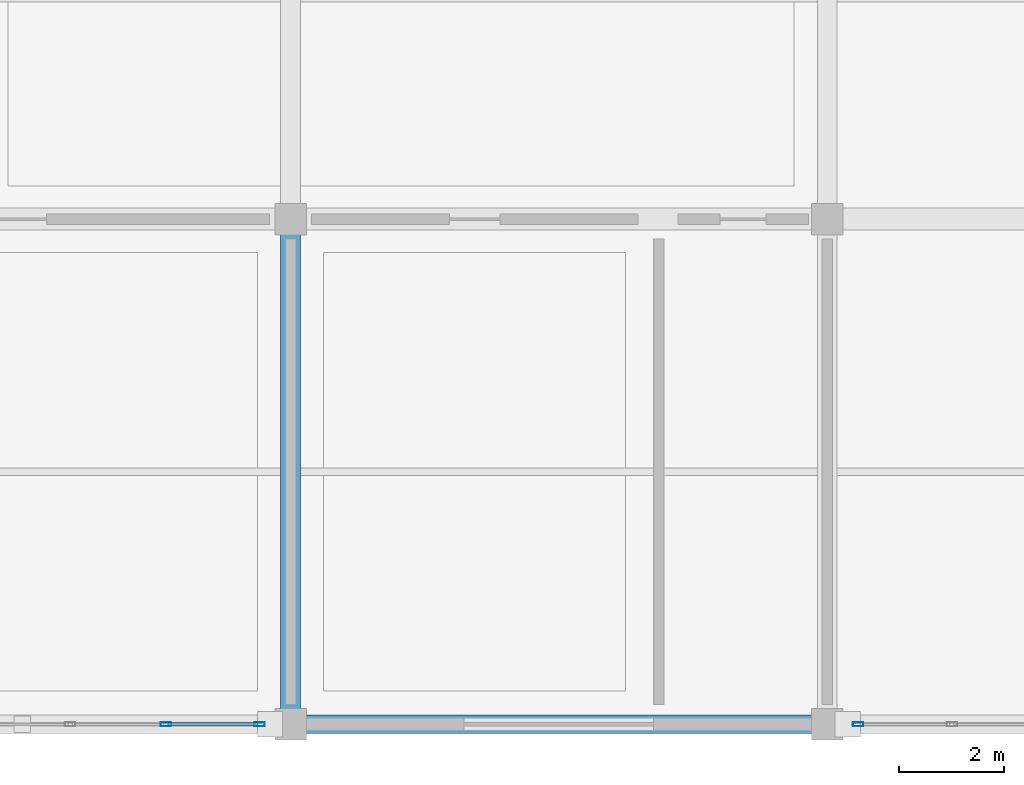
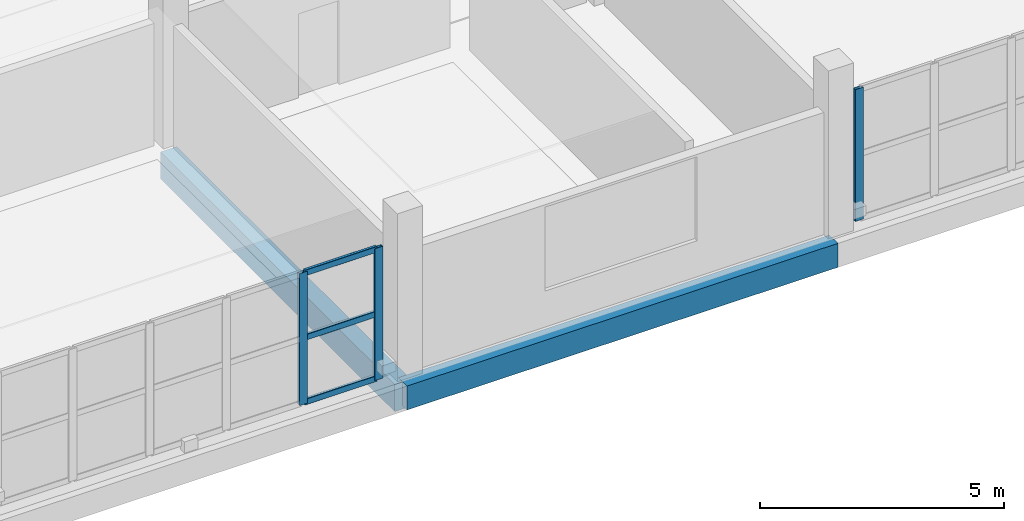
# One storey, part 8 of 24: 6 members, 2 beams, 2 elements without a shape of their own.
"""IFC4 building model written with IfcOpenShell, lengths in metres."""

from ifc_helpers import new_model, si_unit, direction, frame, origin, origin_2d, place, context, subcontext, project, spatial, rectangle, hollow_rectangle, extrude, material, material_profile, profile_set, type_object, element, aggregate, save


model = new_model("IFC4")

# Units and contexts
model_context = context("Model", 3, precision=1e-05, world=origin(), true_north=direction((0.0, 1.0)))
body_context = subcontext(model_context, "Body", "Model", "MODEL_VIEW")
ifc_project = project(units=[si_unit("LENGTHUNIT", "METRE"), si_unit("AREAUNIT", "SQUARE_METRE"), si_unit("VOLUMEUNIT", "CUBIC_METRE"), si_unit("PLANEANGLEUNIT", "RADIAN"), si_unit("MASSUNIT", "GRAM", prefix="KILO")], contexts=[model_context])

# Site, building, storey
site_placement = place(None, origin())
site = spatial("IfcSite", under=ifc_project, at=site_placement, CompositionType="ELEMENT")
building_placement = place(site_placement, origin())
building = spatial("IfcBuilding", under=site, at=building_placement, Name="Brelvane Convention Centre", CompositionType="ELEMENT")
storey_placement = place(building_placement, frame((0.0, 0.0, 19.199951171875)))
storey = spatial("IfcBuildingStorey", under=building, at=storey_placement, Name="L04", CompositionType="ELEMENT", Elevation=19.199951171875)

# Curtain wall, members
ifc_material_1 = material(Name="Anodised Aluminium Alloy 6063-T6", Category="aluminium")
curtain_wall_type = type_object("IfcCurtainWallType", Name="Curtain Wall CW-COURT", PredefinedType="USERDEFINED", material=ifc_material_1)
curtain_wall_1_placement = place(storey_placement, origin())
curtain_wall_1 = element("IfcCurtainWall", 1, at=curtain_wall_1_placement, inside=storey, type_object=curtain_wall_type, Name="Curtain Wall CW-COURT L04-V4S-05", ObjectType="UNITISED", PredefinedType="USERDEFINED")
ifc_material_2 = material(Name="Anodised Aluminium Alloy 6063-T6", Category="aluminium")
ifc_material_profile_1 = material_profile(ifc_material_2, hollow_rectangle(XDim=0.074951171875, YDim=0.199951171875, WallThickness=0.0048828125, InnerFilletRadius=0.0048828125, OuterFilletRadius=0.010009765625, at=origin_2d()), Name="ALU-M 200x75x5.0")
ifc_profile_set_1 = profile_set([ifc_material_profile_1], Name="Anodised Aluminium Alloy 6063-T6")
member_type_1 = type_object("IfcMemberType", Name="Curtain Mullion CW-M2", PredefinedType="MULLION", material=ifc_profile_set_1)
member_1_placement = place(storey_placement, frame((48.6298828125, 109.199951171875, 0.0), z_axis=(0.0, 0.0, 1.0), x_axis=(0.0, 1.0, 0.0)))
member_1 = element("IfcMember", 2, at=member_1_placement, type_object=member_type_1, Name="CW-COURT mullion 5", PredefinedType="MULLION", context=body_context, shape_type="SweptSolid", body=[
    extrude(hollow_rectangle(XDim=0.074951171875, YDim=0.199951171875, WallThickness=0.0048828125, InnerFilletRadius=0.0048828125, OuterFilletRadius=0.010009765625, at=origin_2d()), origin(), (0.0, 0.0, 1.0), 3.300048828125),
])
member_2_placement = place(storey_placement, frame((50.41259765625, 109.199951171875, 0.0), z_axis=(0.0, 0.0, 1.0), x_axis=(0.0, 1.0, 0.0)))
member_2 = element("IfcMember", 3, at=member_2_placement, type_object=member_type_1, Name="CW-COURT mullion 6", PredefinedType="MULLION", context=body_context, shape_type="SweptSolid", body=[
    extrude(hollow_rectangle(XDim=0.074951171875, YDim=0.199951171875, WallThickness=0.0048828125, InnerFilletRadius=0.0048828125, OuterFilletRadius=0.010009765625, at=origin_2d()), origin(), (0.0, 0.0, 1.0), 3.300048828125),
])

# Curtain wall, member
curtain_wall_2_placement = place(storey_placement, origin())
curtain_wall_2 = element("IfcCurtainWall", 4, at=curtain_wall_2_placement, inside=storey, type_object=curtain_wall_type, Name="Curtain Wall CW-COURT L04-V4S-07", ObjectType="UNITISED", PredefinedType="USERDEFINED")
member_3_placement = place(storey_placement, frame((61.78759765625, 109.199951171875, 0.0), z_axis=(0.0, 0.0, 1.0), x_axis=(0.0, 1.0, 0.0)))
member_3 = element("IfcMember", 5, at=member_3_placement, type_object=member_type_1, Name="CW-COURT mullion 1", PredefinedType="MULLION", context=body_context, shape_type="SweptSolid", body=[
    extrude(hollow_rectangle(XDim=0.074951171875, YDim=0.199951171875, WallThickness=0.0048828125, InnerFilletRadius=0.0048828125, OuterFilletRadius=0.010009765625, at=origin_2d()), origin(), (0.0, 0.0, 1.0), 3.300048828125),
])
aggregate(curtain_wall_2, [member_3])

# Member
ifc_material_3 = material(Name="Anodised Aluminium Alloy 6063-T6", Category="aluminium")
ifc_material_profile_2 = material_profile(ifc_material_3, hollow_rectangle(XDim=0.070068359375, YDim=0.14990234375, WallThickness=0.00439453125, InnerFilletRadius=0.00439453125, OuterFilletRadius=0.009033203125, at=origin_2d()), Name="ALU-T 150x70x4.5")
ifc_profile_set_2 = profile_set([ifc_material_profile_2], Name="Anodised Aluminium Alloy 6063-T6")
member_type_2 = type_object("IfcMemberType", Name="Curtain Transom CW-T2", PredefinedType="USERDEFINED", material=ifc_profile_set_2)
member_4_placement = place(storey_placement, frame((48.66748046875, 109.199951171875, 0.03515625), z_axis=(1.0, 0.0, 0.0), x_axis=(0.0, 1.0, 0.0)))
member_4 = element("IfcMember", 6, at=member_4_placement, type_object=member_type_2, Name="CW-COURT transom 5.1", ObjectType="TRANSOM", PredefinedType="USERDEFINED", context=body_context, shape_type="SweptSolid", body=[
    extrude(hollow_rectangle(XDim=0.070068359375, YDim=0.14990234375, WallThickness=0.00439453125, InnerFilletRadius=0.00439453125, OuterFilletRadius=0.009033203125, at=origin_2d()), origin(), (0.0, 0.0, 1.0), 1.70751953125),
])

member_5_placement = place(storey_placement, frame((48.66748046875, 109.199951171875, 1.650146484375), z_axis=(1.0, 0.0, 0.0), x_axis=(0.0, 1.0, 0.0)))
member_5 = element("IfcMember", 7, at=member_5_placement, type_object=member_type_2, Name="CW-COURT transom 5.2", ObjectType="TRANSOM", PredefinedType="USERDEFINED", context=body_context, shape_type="SweptSolid", body=[
    extrude(hollow_rectangle(XDim=0.070068359375, YDim=0.14990234375, WallThickness=0.00439453125, InnerFilletRadius=0.00439453125, OuterFilletRadius=0.009033203125, at=origin_2d()), origin(), (0.0, 0.0, 1.0), 1.70751953125),
])

member_6_placement = place(storey_placement, frame((48.66748046875, 109.199951171875, 3.26513671875), z_axis=(1.0, 0.0, 0.0), x_axis=(0.0, 1.0, 0.0)))
member_6 = element("IfcMember", 8, at=member_6_placement, type_object=member_type_2, Name="CW-COURT transom 5.3", ObjectType="TRANSOM", PredefinedType="USERDEFINED", context=body_context, shape_type="SweptSolid", body=[
    extrude(hollow_rectangle(XDim=0.070068359375, YDim=0.14990234375, WallThickness=0.00439453125, InnerFilletRadius=0.00439453125, OuterFilletRadius=0.009033203125, at=origin_2d()), origin(), (0.0, 0.0, 1.0), 1.70751953125),
])

aggregate(curtain_wall_1, [member_1, member_2, member_4, member_5, member_6])

# Beams
ifc_material_4 = material(Name="Concrete M40", Category="concrete")
ifc_material_profile_3 = material_profile(ifc_material_4, rectangle(XDim=0.3798828125, YDim=0.679931640625, at=origin_2d()), Name="RC 380x680")
ifc_profile_set_3 = profile_set([ifc_material_profile_3], Name="Concrete M40")
beam_type_1 = type_object("IfcBeamType", Name="RC Beam B-RC14 (RC 380x680)", PredefinedType="BEAM", material=ifc_profile_set_3)
beam_1_placement = place(storey_placement, frame((51.0, 109.199951171875, -0.6298828125), z_axis=(0.0, 1.0, 0.0), x_axis=(-1.0, 0.0, 0.0)))
element("IfcBeam", 9, at=beam_1_placement, inside=storey, type_object=beam_type_1, Name="L04 Girder 6/L-M", PredefinedType="BEAM", context=body_context, shape_type="SweptSolid", body=[
    extrude(rectangle(XDim=0.3798828125, YDim=0.679931640625, at=origin_2d()), origin(), (0.0, 0.0, 1.0), 9.60009765625),
])
ifc_material_5 = material(Name="Concrete M40", Category="concrete")
ifc_material_profile_4 = material_profile(ifc_material_5, rectangle(XDim=0.35009765625, YDim=0.60009765625, at=origin_2d()), Name="RC 350x600")
ifc_profile_set_4 = profile_set([ifc_material_profile_4], Name="Concrete M40")
beam_type_2 = type_object("IfcBeamType", Name="RC Spandrel SP-RC2 (RC 350x600)", PredefinedType="SPANDREL", material=ifc_profile_set_4)
beam_2_placement = place(storey_placement, frame((51.0, 109.199951171875, -0.58984375), z_axis=(1.0, 0.0, 0.0), x_axis=(0.0, 1.0, 0.0)))
element("IfcBeam", 10, at=beam_2_placement, inside=storey, type_object=beam_type_2, Name="L04 Beam 6-7/L", PredefinedType="SPANDREL", context=body_context, shape_type="SweptSolid", body=[
    extrude(rectangle(XDim=0.35009765625, YDim=0.60009765625, at=origin_2d()), origin(), (0.0, 0.0, 1.0), 10.199951171875),
])

save(model, "model.ifc")
